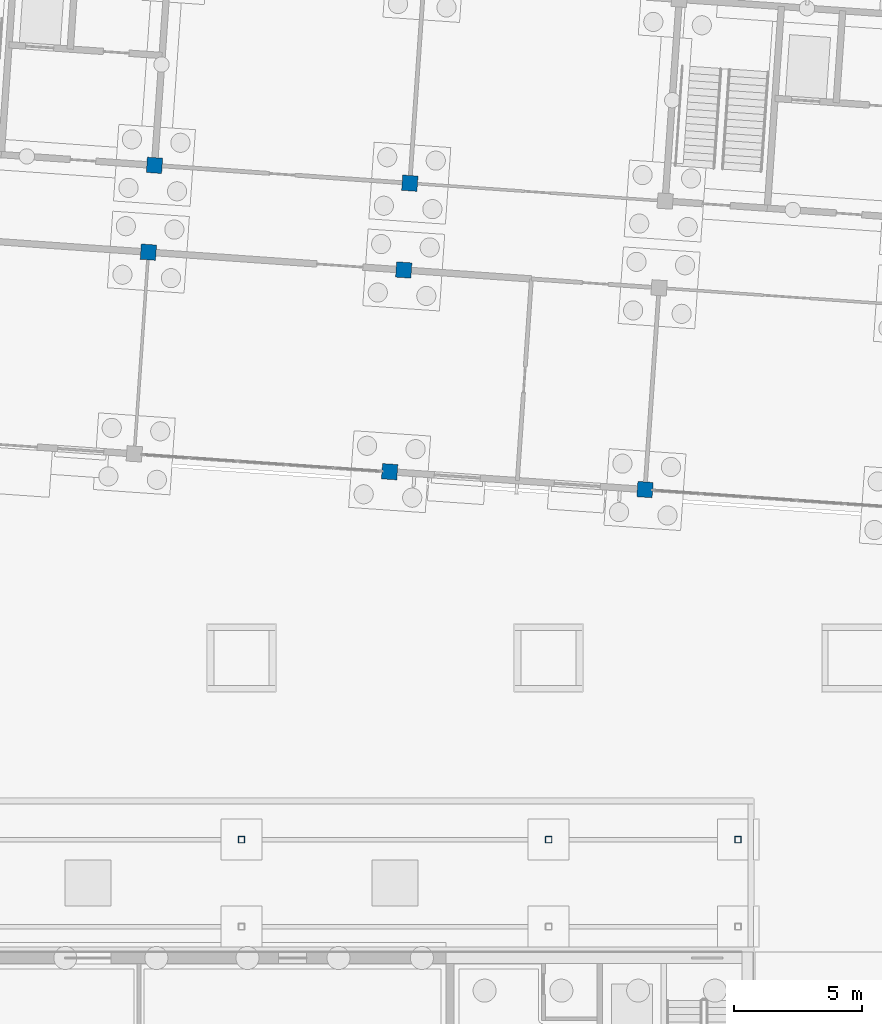
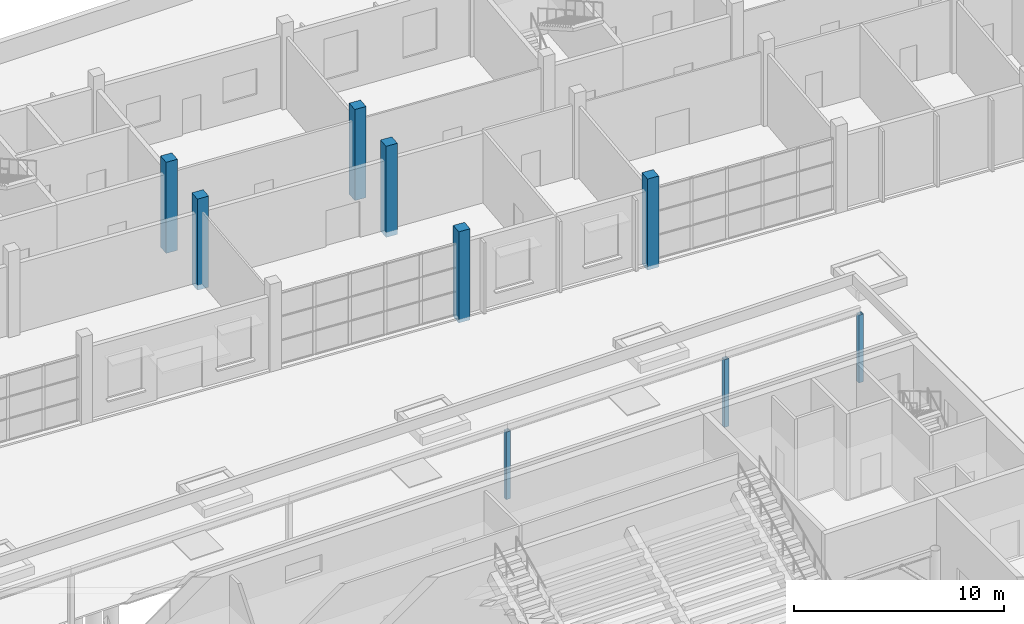
# One storey, part 25 of 157: 9 columns.
"""IFC4 building model written with IfcOpenShell, lengths in metres."""

from ifc_helpers import new_model, si_unit, direction, frame, origin, origin_2d, place, context, subcontext, project, spatial, rectangle, hollow_rectangle, extrude, material, material_profile, profile_set, type_object, element, save


model = new_model("IFC4")

# Units and contexts
model_context = context("Model", 3, precision=1e-05, world=origin(), true_north=direction((0.0, 1.0)))
body_context = subcontext(model_context, "Body", "Model", "MODEL_VIEW")
ifc_project = project(units=[si_unit("LENGTHUNIT", "METRE"), si_unit("AREAUNIT", "SQUARE_METRE"), si_unit("VOLUMEUNIT", "CUBIC_METRE"), si_unit("PLANEANGLEUNIT", "RADIAN"), si_unit("MASSUNIT", "GRAM", prefix="KILO")], contexts=[model_context])

# Site, building, storey
site_placement = place(None, origin())
site = spatial("IfcSite", under=ifc_project, at=site_placement, CompositionType="ELEMENT")
building_placement = place(site_placement, origin())
building = spatial("IfcBuilding", under=site, at=building_placement, Name="Windward Yard Aquatics Centre", CompositionType="ELEMENT")
storey_placement = place(building_placement, origin())
storey = spatial("IfcBuildingStorey", under=building, at=storey_placement, Name="L00", CompositionType="ELEMENT", Elevation=0.0)

# Columns
ifc_material_1 = material(Name="Steel ASTM A500 Gr C", Category="steel")
ifc_material_profile_1 = material_profile(ifc_material_1, hollow_rectangle(XDim=0.25390625, YDim=0.25390625, WallThickness=0.0126953125, InnerFilletRadius=0.00634765625, OuterFilletRadius=0.01904296875, at=origin_2d()), Name="HSS254X254X12.7")
ifc_profile_set_1 = profile_set([ifc_material_profile_1], Name="Steel ASTM A500 Gr C")
column_type_1 = type_object("IfcColumnType", Name="A column HSS254X254X12.7", PredefinedType="COLUMN", material=ifc_profile_set_1)
for number, where, z_axis, x_axis, name in (
    (1, (132.0, 100.39990234375, 0.0), (0.0, 0.0, 1.0), (1.0, 0.0, 0.0), "A.COL.L00.8.2"),
    (2, (144.0, 100.39990234375, 0.0), (0.0, 0.0, 1.0), (1.0, 0.0, 0.0), "A.COL.L00.9.2"),
    (3, (151.39990234375, 100.39990234375, 0.0), (0.0, 0.0, 1.0), (1.0, 0.0, 0.0), "A.COL.L00.10.2"),
):
    element("IfcColumn", number, at=place(storey_placement, frame(where, z_axis=z_axis, x_axis=x_axis)), inside=storey, type_object=column_type_1, Name=name, PredefinedType="COLUMN", context=body_context, shape_type="SweptSolid", body=[
        extrude(hollow_rectangle(XDim=0.25390625, YDim=0.25390625, WallThickness=0.0126953125, InnerFilletRadius=0.00634765625, OuterFilletRadius=0.01904296875, at=origin_2d()), origin(), (0.0, 0.0, 1.0), 3.93310546875),
    ])
ifc_material_2 = material(Name="Concrete C50/60", Category="concrete")
ifc_material_profile_2 = material_profile(ifc_material_2, rectangle(XDim=0.60009765625, YDim=0.60009765625, at=origin_2d()), Name="RC 600x600")
ifc_profile_set_2 = profile_set([ifc_material_profile_2], Name="Concrete C50/60")
column_type_2 = type_object("IfcColumnType", Name="W RC 600x600 column Concrete C50/60", PredefinedType="COLUMN", material=ifc_profile_set_2)
for number, where, z_axis, x_axis, name in (
    (4, (128.365478515625, 123.3505859375, -0.300048828125), (0.0, 0.0, 1.0), (0.99756405026, -0.069756473744, 0.0), "W.COL.L00.3B"),
    (5, (128.602783203125, 126.742431640625, -0.300048828125), (0.0, 0.0, 1.0), (0.99756405026, -0.069756473744, 0.0), "W.COL.L00.3C"),
    (6, (137.7900390625, 114.7724609375, -0.300048828125), (0.0, 0.0, 1.0), (0.99756405026, -0.069756473744, 0.0), "W.COL.L00.4A"),
    (7, (138.34130859375, 122.6533203125, -0.300048828125), (0.0, 0.0, 1.0), (0.99756405026, -0.069756473744, 0.0), "W.COL.L00.4B"),
    (8, (138.578369140625, 126.044921875, -0.300048828125), (0.0, 0.0, 1.0), (0.99756405026, -0.069756473744, 0.0), "W.COL.L00.4C"),
    (9, (147.765869140625, 114.07470703125, -0.300048828125), (0.0, 0.0, 1.0), (0.99756405026, -0.069756473744, 0.0), "W.COL.L00.5A"),
):
    element("IfcColumn", number, at=place(storey_placement, frame(where, z_axis=z_axis, x_axis=x_axis)), inside=storey, type_object=column_type_2, Name=name, PredefinedType="COLUMN", context=body_context, shape_type="SweptSolid", body=[
        extrude(rectangle(XDim=0.60009765625, YDim=0.60009765625, at=origin_2d()), origin(), (0.0, 0.0, 1.0), 5.300048828125),
    ])

save(model, "model.ifc")
